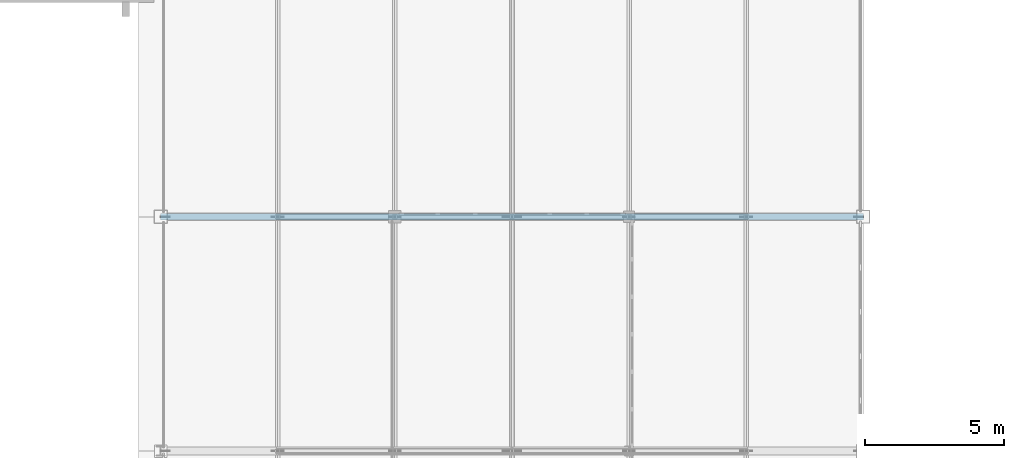
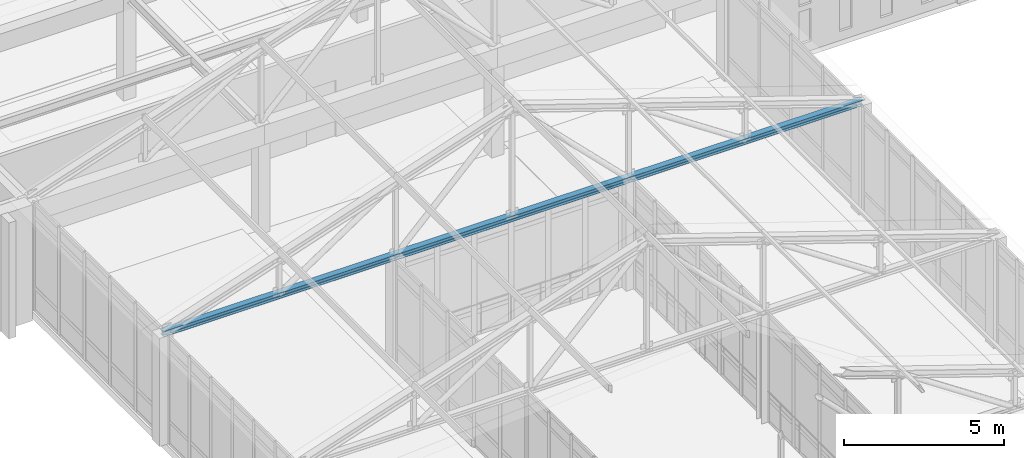
# One storey, part 79 of 192: 1 member.
"""IFC4 building model written with IfcOpenShell, lengths in metres."""

import ifcopenshell
import ifcopenshell.guid

model = None  # the IFC model being written
_history = None  # IfcOwnerHistory: only IFC2X3 demands one
_inside = {}  # id of a spatial element -> (the spatial element, [elements in it])
_under = {}  # id of a project, library or spatial element -> (it, [spatial elements below it])
_declared = {}  # id of a project -> (the project, [libraries it declares])
_typed = {}  # id of a type object -> (the type object, [elements of that type])
_made_of = {}  # id of a material, layer set ... -> (it, [elements and type objects made of it])


def new_model(schema):
    """Start an empty IFC model of exactly this schema.

    Asked for "IFC4X3", IfcOpenShell would pick the latest addendum, in which some entities
    have other attributes; the version numbers below select the first issue.
    IFC2X3 requires an IfcOwnerHistory on every rooted entity: one is made here for all.
    """
    global model, _history
    if schema == "IFC4X3":
        model = ifcopenshell.file(schema_version=(4, 3, 0, 0))
    else:
        model = ifcopenshell.file(schema=schema)
    _inside.clear()
    _under.clear()
    _declared.clear()
    _typed.clear()
    _made_of.clear()
    _history = None
    if model.schema == "IFC2X3":
        org = make("IfcOrganization", Name="unknown")
        user = make(
            "IfcPersonAndOrganization",
            ThePerson=make("IfcPerson", FamilyName="unknown"),
            TheOrganization=org,
        )
        app = make(
            "IfcApplication",
            ApplicationDeveloper=org,
            Version="unknown",
            ApplicationFullName="unknown",
            ApplicationIdentifier="unknown",
        )
        _history = make(
            "IfcOwnerHistory",
            OwningUser=user,
            OwningApplication=app,
            ChangeAction="ADDED",
            CreationDate=0,
        )
    return model


def make(cls, **values):
    """One entity of the class cls with the attributes given. An attribute that is None is left unset."""
    return model.create_entity(
        cls, **{name: value for name, value in values.items() if value is not None}
    )


def rooted(cls, **values):
    """An entity with a GlobalId (a new one), such as an element, a storey or a relation."""
    return make(cls, GlobalId=ifcopenshell.guid.new(), OwnerHistory=_history, **values)


def si_unit(unit_type, name, prefix=None):
    """IfcSIUnit, for example si_unit("LENGTHUNIT", "METRE", prefix="MILLI")."""
    return make("IfcSIUnit", UnitType=unit_type, Prefix=prefix, Name=name)


def assignment(units):
    """IfcUnitAssignment: the units of a project."""
    return None if units is None else make("IfcUnitAssignment", Units=units)


def point(xyz):
    """IfcCartesianPoint."""
    return None if xyz is None else make("IfcCartesianPoint", Coordinates=xyz)


def direction(xyz):
    """IfcDirection."""
    return None if xyz is None else make("IfcDirection", DirectionRatios=xyz)


def frame(location, z_axis=None, x_axis=None):
    """IfcAxis2Placement3D, a coordinate frame: its origin and axes. An axis left out is left unset."""
    return make(
        "IfcAxis2Placement3D",
        Location=point(location),
        Axis=direction(z_axis),
        RefDirection=direction(x_axis),
    )


def frame_2d(location, x_axis=None):
    """IfcAxis2Placement2D, a coordinate frame in the plane: its origin and x axis."""
    return make(
        "IfcAxis2Placement2D", Location=point(location), RefDirection=direction(x_axis)
    )


def origin():
    """The frame at (0, 0, 0) with its axes left unset."""
    return frame((0.0, 0.0, 0.0))


def origin_2d():
    """The frame at (0, 0) in the plane with its x axis left unset."""
    return frame_2d((0.0, 0.0))


def place(relative_to, where):
    """IfcLocalPlacement: puts the frame where relative to a parent placement (None: the world)."""
    return make(
        "IfcLocalPlacement", PlacementRelTo=relative_to, RelativePlacement=where
    )


def context(
    kind, dimensions, precision=None, world=None, true_north=None, identifier=None
):
    """IfcGeometricRepresentationContext, for example the 3D "Model" context."""
    return make(
        "IfcGeometricRepresentationContext",
        ContextIdentifier=identifier,
        ContextType=kind,
        CoordinateSpaceDimension=dimensions,
        Precision=precision,
        WorldCoordinateSystem=world,
        TrueNorth=true_north,
    )


def subcontext(parent, identifier, kind, view, scale=None):
    """IfcGeometricRepresentationSubContext, for example "Body" below "Model"."""
    return make(
        "IfcGeometricRepresentationSubContext",
        ContextIdentifier=identifier,
        ContextType=kind,
        ParentContext=parent,
        TargetScale=scale,
        TargetView=view,
    )


def project(units=None, contexts=None):
    """IfcProject with its units and contexts."""
    return rooted(
        "IfcProject",
        Name="project",
        RepresentationContexts=contexts,
        UnitsInContext=assignment(units),
    )


def spatial(cls, under=None, at=None, **own):
    """A site, building, storey or space (cls), placed at a placement, below another one or the project."""
    s = rooted(cls, ObjectPlacement=at, **own)
    if under is not None:
        _under.setdefault(under.id(), (under, []))[1].append(s)
    return s


def profile(cls, at=None, kind="AREA", **sizes):
    """A parametric profile (cls). Its sizes go by their IFC names, for example OverallWidth=200.0."""
    return make(cls, ProfileType=kind, Position=at, **sizes)


def i_section(**sizes):
    """IfcIShapeProfileDef."""
    return profile("IfcIShapeProfileDef", **sizes)


def extrude(swept, where, along, depth):
    """IfcExtrudedAreaSolid: the profile swept, set in the frame where, extruded along a direction by depth."""
    return make(
        "IfcExtrudedAreaSolid",
        SweptArea=swept,
        Position=where,
        ExtrudedDirection=direction(along),
        Depth=depth,
    )


def shape(context_of_items, identifier, shape_type, items):
    """IfcShapeRepresentation: the items that make up one representation, for example the "Body"."""
    return make(
        "IfcShapeRepresentation",
        ContextOfItems=context_of_items,
        RepresentationIdentifier=identifier,
        RepresentationType=shape_type,
        Items=items,
    )


def material(Name=None, Category=None):
    """IfcMaterial."""
    return make("IfcMaterial", Name=Name, Category=Category)


def material_profile(
    of_material, cross_section, Name=None, Category=None, Priority=None
):
    """IfcMaterialProfile: a cross section and its material."""
    return make(
        "IfcMaterialProfile",
        Name=Name,
        Material=of_material,
        Profile=cross_section,
        Priority=Priority,
        Category=Category,
    )


def profile_set(profiles, Name=None, composite=None):
    """IfcMaterialProfileSet."""
    return make(
        "IfcMaterialProfileSet",
        Name=Name,
        MaterialProfiles=profiles,
        CompositeProfile=composite,
    )


def made_of(thing, what):
    """Note that an element or type object is made of a material, layer set ...; save() writes the relation."""
    if what is not None:
        _made_of.setdefault(what.id(), (what, []))[1].append(thing)
    return thing


def type_object(cls, material=None, **own):
    """A type object (cls), such as IfcWallType, which elements share."""
    return made_of(rooted(cls, **own), material)


def element(
    cls,
    number,
    at=None,
    inside=None,
    cuts=None,
    type_object=None,
    material=None,
    context=None,
    identifier="Body",
    shape_type=None,
    held_by="IfcProductDefinitionShape",
    body=None,
    shapes=None,
    **own,
):
    """One element of the class cls, such as IfcWall. Its Tag is "e" and its number.

    at: its placement. inside: the storey or other place that contains it. cuts: it is an
    opening in that element (IfcRelVoidsElement). A single representation is given by context,
    identifier, shape_type and body (its items); several are given by shapes. held_by: the class
    of the entity that holds the representations. save() writes the other relations.
    """
    e = rooted(cls, Tag="e%d" % number, ObjectPlacement=at, **own)
    if body is not None:
        shapes = [shape(context, identifier, shape_type, body)]
    if shapes is not None:
        e.Representation = make(held_by, Representations=shapes)
    if inside is not None:
        _inside.setdefault(inside.id(), (inside, []))[1].append(e)
    if cuts is not None:
        rooted(
            "IfcRelVoidsElement", RelatingBuildingElement=cuts, RelatedOpeningElement=e
        )
    if type_object is not None:
        _typed.setdefault(type_object.id(), (type_object, []))[1].append(e)
    return made_of(e, material)


def aggregate(whole, parts):
    """IfcRelAggregates: a whole, such as a stair, and the parts it consists of."""
    return rooted("IfcRelAggregates", RelatingObject=whole, RelatedObjects=parts)


def save(model, path):
    """Write the relations noted so far, then the file.

    IfcRelAggregates (storeys below a building ...), IfcRelContainedInSpatialStructure (elements
    in a storey), IfcRelDefinesByType, IfcRelAssociatesMaterial and IfcRelDeclares: one each for
    every whole, place, type object, material and project.
    """
    for whole, parts in _under.values():
        aggregate(whole, parts)
    for where, things in _inside.values():
        rooted(
            "IfcRelContainedInSpatialStructure",
            RelatedElements=things,
            RelatingStructure=where,
        )
    for kind, things in _typed.values():
        rooted("IfcRelDefinesByType", RelatedObjects=things, RelatingType=kind)
    for what, things in _made_of.values():
        rooted("IfcRelAssociatesMaterial", RelatedObjects=things, RelatingMaterial=what)
    for by, libraries in _declared.values():
        rooted("IfcRelDeclares", RelatingContext=by, RelatedDefinitions=libraries)
    model.write(path)


model = new_model("IFC4")

# Units and contexts
model_context = context("Model", 3, precision=1e-05, world=origin(), true_north=direction((0.0, 1.0)))
body_context = subcontext(model_context, "Body", "Model", "MODEL_VIEW")
ifc_project = project(units=[si_unit("LENGTHUNIT", "METRE"), si_unit("AREAUNIT", "SQUARE_METRE"), si_unit("VOLUMEUNIT", "CUBIC_METRE"), si_unit("PLANEANGLEUNIT", "RADIAN"), si_unit("MASSUNIT", "GRAM", prefix="KILO")], contexts=[model_context])

# Site, building, storey
site_placement = place(None, origin())
site = spatial("IfcSite", under=ifc_project, at=site_placement, CompositionType="ELEMENT")
building_placement = place(site_placement, origin())
building = spatial("IfcBuilding", under=site, at=building_placement, Name="Kveldsbrygga Polytechnic", CompositionType="ELEMENT")
storey_placement = place(building_placement, frame((0.0, 0.0, 5.43994140625)))
storey = spatial("IfcBuildingStorey", under=building, at=storey_placement, Name="L01", CompositionType="ELEMENT", Elevation=5.43994140625)

# Member
ifc_material = material(Name="Steel S355", Category="steel")
ifc_material_profile = material_profile(ifc_material, i_section(OverallWidth=0.219970703125, OverallDepth=0.2099609375, WebThickness=0.007080078125, FlangeThickness=0.010986328125, FilletRadius=0.01806640625, at=origin_2d()), Name="HEA 220")
ifc_profile_set = profile_set([ifc_material_profile], Name="Steel S355")
member_type = type_object("IfcMemberType", Name="TR-BOT-HEA220", PredefinedType="CHORD", material=ifc_profile_set)
member_placement = place(storey_placement, frame((50.39990234375, 75.60009765625, 4.1201171875), z_axis=(1.0, 0.0, 0.0), x_axis=(0.0, 1.0, 0.0)))
element("IfcMember", 1, at=member_placement, inside=storey, type_object=member_type, Name="Truss Bottom Chord V5C-T09-BC-1", PredefinedType="CHORD", context=body_context, shape_type="SweptSolid", body=[
    extrude(i_section(OverallWidth=0.219970703125, OverallDepth=0.2099609375, WebThickness=0.007080078125, FlangeThickness=0.010986328125, FilletRadius=0.01806640625, at=origin_2d()), origin(), (0.0, 0.0, 1.0), 25.2001953125),
])

save(model, "model.ifc")
